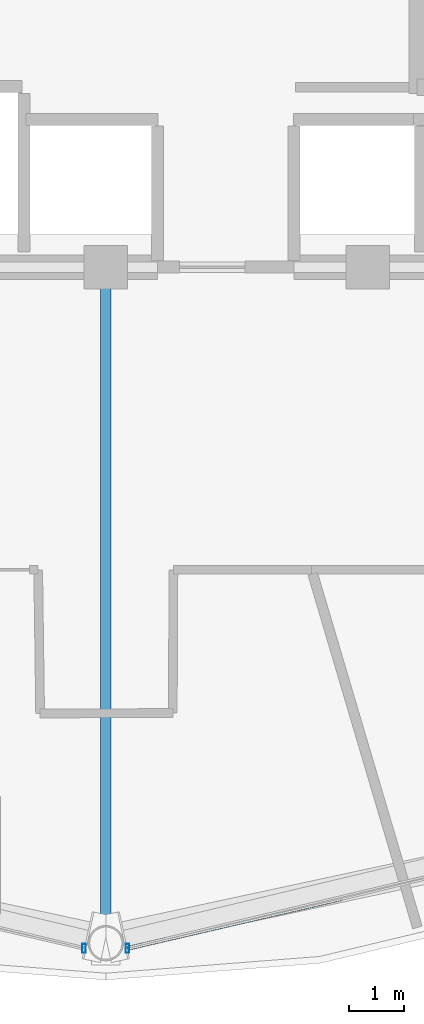
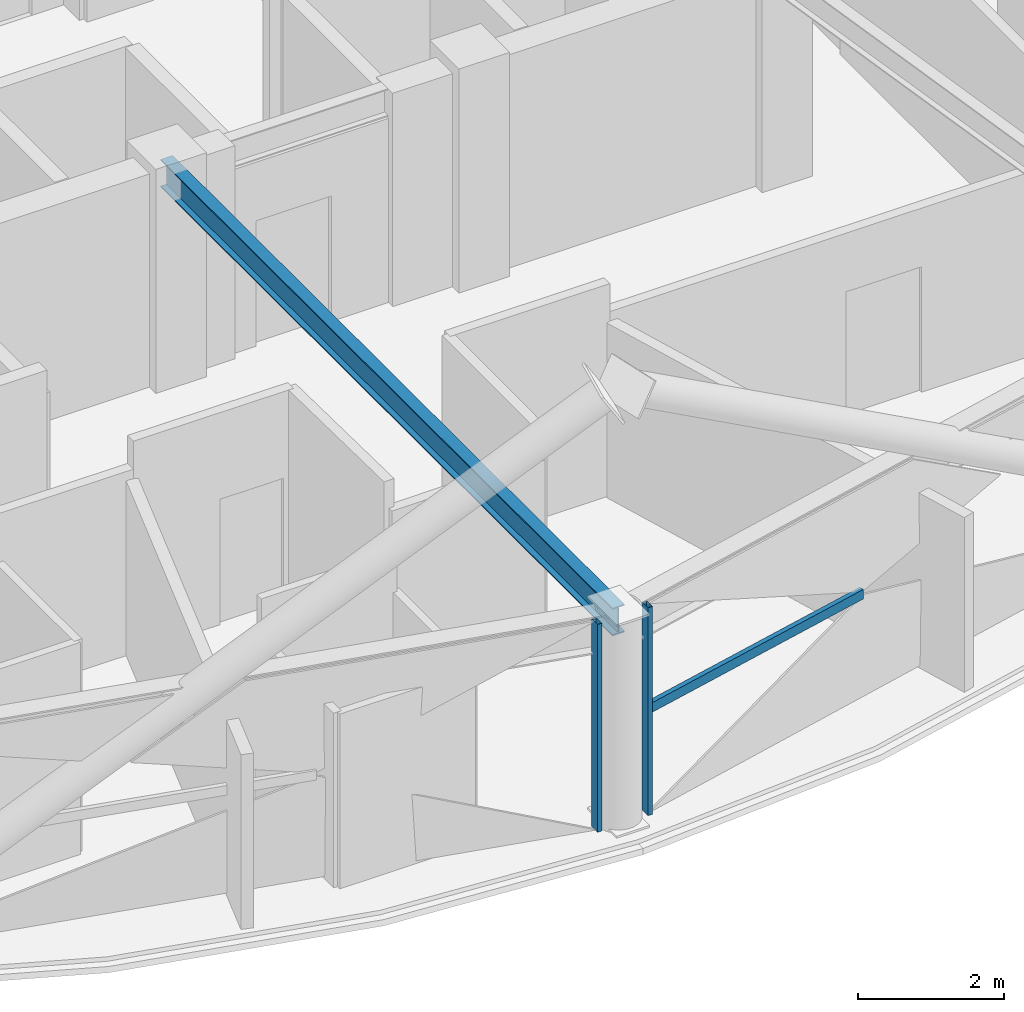
# One storey, part 5 of 29: 3 members, 1 beam, 2 elements without a shape of their own.
"""IFC4 building model written with IfcOpenShell, lengths in metres."""

from ifc_helpers import new_model, si_unit, direction, frame, origin, origin_2d, place, context, subcontext, project, spatial, hollow_rectangle, i_section, extrude, material, layer, layer_set, material_profile, profile_set, type_object, element, aggregate, save


model = new_model("IFC4")

# Units and contexts
model_context = context("Model", 3, precision=1e-05, world=origin(), true_north=direction((0.0, 1.0)))
body_context = subcontext(model_context, "Body", "Model", "MODEL_VIEW")
ifc_project = project(units=[si_unit("LENGTHUNIT", "METRE"), si_unit("AREAUNIT", "SQUARE_METRE"), si_unit("VOLUMEUNIT", "CUBIC_METRE"), si_unit("PLANEANGLEUNIT", "RADIAN"), si_unit("MASSUNIT", "GRAM", prefix="KILO")], contexts=[model_context])

# Site, building, storey
site_placement = place(None, origin())
site = spatial("IfcSite", under=ifc_project, at=site_placement, CompositionType="ELEMENT")
building_placement = place(site_placement, origin())
building = spatial("IfcBuilding", under=site, at=building_placement, Name="Vantalir Tower", CompositionType="ELEMENT")
storey_placement = place(building_placement, frame((0.0, 0.0, 227.39990234375)))
storey = spatial("IfcBuildingStorey", under=building, at=storey_placement, Name="L57", CompositionType="ELEMENT", Elevation=227.39990234375)

# Beam
ifc_material_1 = material(Name="Steel S355", Category="steel")
ifc_material_profile_1 = material_profile(ifc_material_1, i_section(OverallWidth=0.19189453125, OverallDepth=0.462890625, WebThickness=0.010498046875, FlangeThickness=0.017578125, at=origin_2d()), Name="Steel S355")
ifc_profile_set_1 = profile_set([ifc_material_profile_1], Name="Steel S355")
beam_type = type_object("IfcBeamType", Name="BM-RB-457x191", PredefinedType="BEAM", material=ifc_profile_set_1)
beam_placement = place(storey_placement, frame((31.5, 5.404052734375, 3.338134765625), z_axis=(0.0, 1.0, 0.0), x_axis=(-1.0, 0.0, 0.0)))
element("IfcBeam", 1, at=beam_placement, inside=storey, type_object=beam_type, Name="L57 Radial Floor Beam 10", PredefinedType="BEAM", context=body_context, shape_type="SweptSolid", body=[
    extrude(i_section(OverallWidth=0.19189453125, OverallDepth=0.462890625, WebThickness=0.010498046875, FlangeThickness=0.017578125, at=origin_2d()), origin(), (0.0, 0.0, 1.0), 12.39599609375),
])

# Curtain wall, member
ifc_material_2 = material(Name="Champagne-silver PVDF aluminium and double-silver Low-E glass", Category="aluminium")
ifc_layer = layer(ifc_material_2, 0.2099609375)
ifc_layer_set = layer_set([ifc_layer], Name="Champagne-silver PVDF aluminium and double-silver Low-E glass")
curtain_wall_type = type_object("IfcCurtainWallType", Name="CW-DIAMOND-Z3", PredefinedType="USERDEFINED", material=ifc_layer_set)
curtain_wall_1_placement = place(storey_placement, origin())
curtain_wall_1 = element("IfcCurtainWall", 2, at=curtain_wall_1_placement, inside=storey, type_object=curtain_wall_type, Name="L57 Quilted Pyramid-Diamond Curtain Wall S09", ObjectType="UNITISED CURTAIN WALL", PredefinedType="USERDEFINED")
ifc_material_3 = material(Name="Champagne-silver PVDF aluminium 6063-T6", Category="aluminium")
ifc_material_profile_2 = material_profile(ifc_material_3, hollow_rectangle(XDim=0.070068359375, YDim=0.1650390625, WallThickness=0.00390625, at=origin_2d()), Name="Champagne-silver PVDF aluminium 6063-T6")
ifc_profile_set_2 = profile_set([ifc_material_profile_2], Name="Champagne-silver PVDF aluminium 6063-T6")
member_type_1 = type_object("IfcMemberType", Name="CWM-165x70", PredefinedType="MULLION", material=ifc_profile_set_2)
member_1_placement = place(storey_placement, frame((31.10107421875, 5.30908203125, 0.045166015625), z_axis=(0.0, 0.0, 1.0), x_axis=(1.0, 0.0, 0.0)))
member_1 = element("IfcMember", 3, at=member_1_placement, type_object=member_type_1, Name="CW-L57-S09 Mullion 2", PredefinedType="MULLION", context=body_context, shape_type="SweptSolid", body=[
    extrude(hollow_rectangle(XDim=0.070068359375, YDim=0.1650390625, WallThickness=0.00390625, at=origin_2d()), origin(), (0.0, 0.0, 1.0), 3.47998046875),
])
aggregate(curtain_wall_1, [member_1])

# Curtain wall, members
curtain_wall_2_placement = place(storey_placement, origin())
curtain_wall_2 = element("IfcCurtainWall", 4, at=curtain_wall_2_placement, inside=storey, type_object=curtain_wall_type, Name="L57 Quilted Pyramid-Diamond Curtain Wall S10", ObjectType="UNITISED CURTAIN WALL", PredefinedType="USERDEFINED")
member_2_placement = place(storey_placement, frame((31.89892578125, 5.30908203125, 0.045166015625), z_axis=(0.0, 0.0, 1.0), x_axis=(1.0, 0.0, 0.0)))
member_2 = element("IfcMember", 5, at=member_2_placement, type_object=member_type_1, Name="CW-L57-S10 Mullion 1", PredefinedType="MULLION", context=body_context, shape_type="SweptSolid", body=[
    extrude(hollow_rectangle(XDim=0.070068359375, YDim=0.1650390625, WallThickness=0.00390625, at=origin_2d()), origin(), (0.0, 0.0, 1.0), 3.47998046875),
])
ifc_material_profile_3 = material_profile(ifc_material_3, hollow_rectangle(XDim=0.074951171875, YDim=0.159912109375, WallThickness=0.00390625, at=origin_2d()), Name="Champagne-silver PVDF aluminium 6063-T6")
ifc_profile_set_3 = profile_set([ifc_material_profile_3], Name="Champagne-silver PVDF aluminium 6063-T6")
member_type_2 = type_object("IfcMemberType", Name="CWT-160x75", PredefinedType="USERDEFINED", material=ifc_profile_set_3)
member_3_placement = place(storey_placement, frame((31.89892578125, 5.30908203125, 1.78515625), z_axis=(0.974009582798, 0.226506804791, 0.0), x_axis=(-0.226506804791, 0.974009582798, 0.0)))
member_3 = element("IfcMember", 6, at=member_3_placement, type_object=member_type_2, Name="CW-L57-S10 Pyramid Fold Ridge Transom", ObjectType="TRANSOM", PredefinedType="USERDEFINED", context=body_context, shape_type="SweptSolid", body=[
    extrude(hollow_rectangle(XDim=0.074951171875, YDim=0.159912109375, WallThickness=0.00390625, at=origin_2d()), origin(), (0.0, 0.0, 1.0), 4.02587890625),
])
aggregate(curtain_wall_2, [member_2, member_3])

save(model, "model.ifc")
